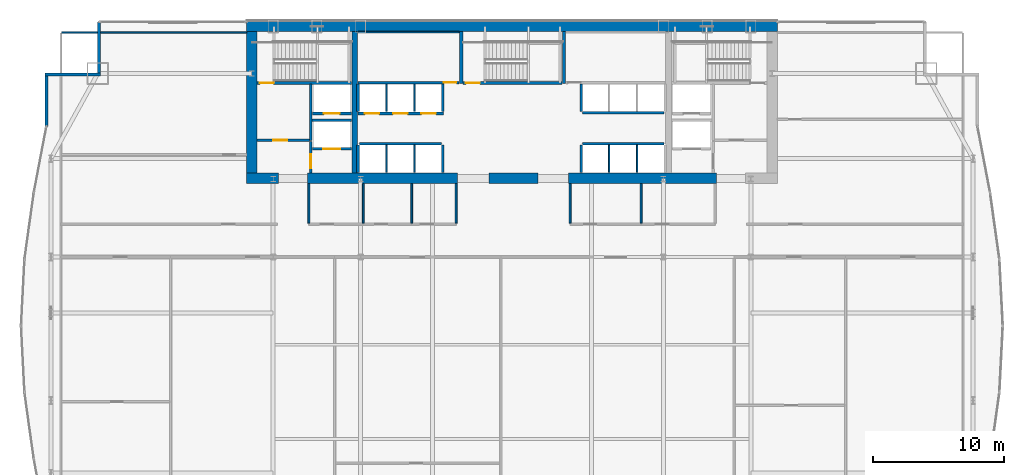
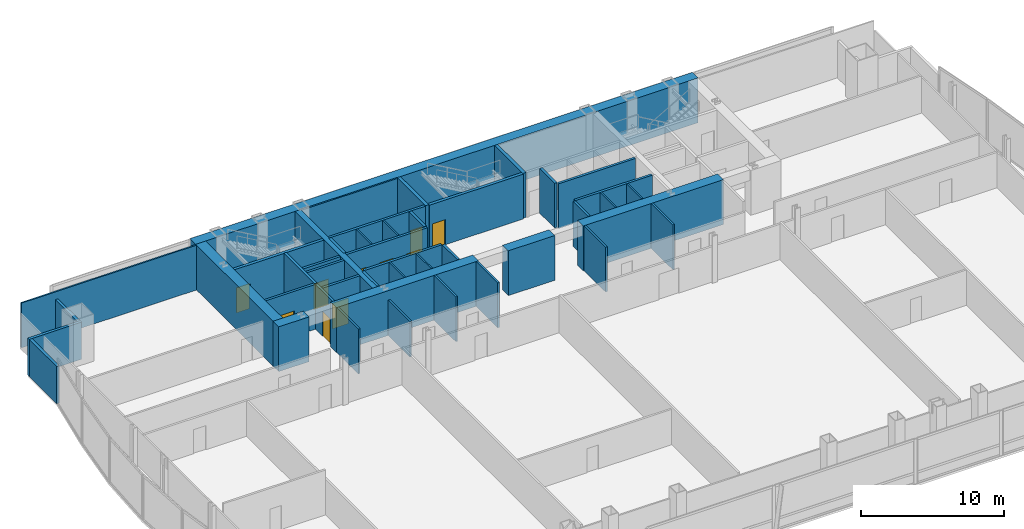
# One storey, part 32 of 37: 45 walls, 10 doors, 10 openings.
"""IFC4 building model written with IfcOpenShell, lengths in metres."""

from ifc_helpers import new_model, si_unit, direction, frame, frame_2d, origin, place, context, subcontext, project, spatial, rectangle, extrude, material, layer, layer_set, type_object, element, fill, save


model = new_model("IFC4")

# Units and contexts
model_context = context("Model", 3, precision=1e-05, world=origin(), true_north=direction((0.0, 1.0)))
body_context = subcontext(model_context, "Body", "Model", "MODEL_VIEW")
ifc_project = project(units=[si_unit("LENGTHUNIT", "METRE"), si_unit("AREAUNIT", "SQUARE_METRE"), si_unit("VOLUMEUNIT", "CUBIC_METRE"), si_unit("PLANEANGLEUNIT", "RADIAN"), si_unit("MASSUNIT", "GRAM", prefix="KILO")], contexts=[model_context])

# Site, building, storey
site_placement = place(None, origin())
site = spatial("IfcSite", under=ifc_project, at=site_placement, CompositionType="ELEMENT")
building_placement = place(site_placement, origin())
building = spatial("IfcBuilding", under=site, at=building_placement, Name="Khoronbel Lancet Exchange", CompositionType="ELEMENT")
storey_placement = place(building_placement, frame((0.0, 0.0, 45.800048828125)))
storey = spatial("IfcBuildingStorey", under=building, at=storey_placement, Name="L10", CompositionType="ELEMENT", Elevation=45.800048828125)

# Walls
ifc_material_1 = material(Name="Concrete C80/95", Category="concrete")
ifc_layer_1 = layer(ifc_material_1, 0.800048828125, Name="Concrete C80/95")
ifc_layer_set_1 = layer_set([ifc_layer_1], Name="Concrete C80/95")
wall_type_1 = type_object("IfcWallType", Name="WL-CW1", PredefinedType="SHEAR", material=ifc_layer_set_1)
wall_1_placement = place(storey_placement, frame((16.199951171875, 53.300048828125, 0.0), z_axis=(0.0, 0.0, 1.0), x_axis=(1.0, 0.0, 0.0)))
element("IfcWall", 1, at=wall_1_placement, inside=storey, type_object=wall_type_1, Name="Level L10 rear core north shear wall", PredefinedType="SHEAR", context=body_context, shape_type="SweptSolid", body=[
    extrude(rectangle(XDim=40.5, YDim=0.800048828125, at=frame_2d((20.25, 0.0))), origin(), (0.0, 0.0, 1.0), 3.820068359375),
])
wall_2_placement = place(storey_placement, frame((16.60009765625, 42.10009765625, 0.0), z_axis=(0.0, 0.0, 1.0), x_axis=(0.0, 1.0, 0.0)))
element("IfcWall", 2, at=wall_2_placement, inside=storey, type_object=wall_type_1, Name="Level L10 rear core west shear wall", PredefinedType="SHEAR", context=body_context, shape_type="SweptSolid", body=[
    extrude(rectangle(XDim=10.7998046875, YDim=0.800048828125, at=frame_2d((5.39990234375, 0.0))), origin(), (0.0, 0.0, 1.0), 3.820068359375),
])
wall_3_placement = place(storey_placement, frame((18.64990234375, 41.699951171875, 0.0), z_axis=(0.0, 0.0, 1.0), x_axis=(-1.0, 0.0, 0.0)))
element("IfcWall", 3, at=wall_3_placement, inside=storey, type_object=wall_type_1, Name="Level L10 rear core south shear wall pier P1", PredefinedType="SHEAR", context=body_context, shape_type="SweptSolid", body=[
    extrude(rectangle(XDim=2.449951171875, YDim=0.800048828125, at=frame_2d((1.22509765625, 0.0))), origin(), (0.0, 0.0, 1.0), 3.820068359375),
])
wall_4_placement = place(storey_placement, frame((32.300048828125, 41.699951171875, 0.0), z_axis=(0.0, 0.0, 1.0), x_axis=(-1.0, 0.0, 0.0)))
element("IfcWall", 4, at=wall_4_placement, inside=storey, type_object=wall_type_1, Name="Level L10 rear core south shear wall pier P2", PredefinedType="SHEAR", context=body_context, shape_type="SweptSolid", body=[
    extrude(rectangle(XDim=11.449951171875, YDim=0.800048828125, at=frame_2d((5.72509765625, 0.0))), origin(), (0.0, 0.0, 1.0), 3.820068359375),
])
wall_5_placement = place(storey_placement, frame((38.449951171875, 41.699951171875, 0.0), z_axis=(0.0, 0.0, 1.0), x_axis=(-1.0, 0.0, 0.0)))
element("IfcWall", 5, at=wall_5_placement, inside=storey, type_object=wall_type_1, Name="Level L10 rear core south shear wall pier P3", PredefinedType="SHEAR", context=body_context, shape_type="SweptSolid", body=[
    extrude(rectangle(XDim=3.75, YDim=0.800048828125, at=frame_2d((1.875, 0.0))), origin(), (0.0, 0.0, 1.0), 3.820068359375),
])
wall_6_placement = place(storey_placement, frame((52.050048828125, 41.699951171875, 0.0), z_axis=(0.0, 0.0, 1.0), x_axis=(-1.0, 0.0, 0.0)))
element("IfcWall", 6, at=wall_6_placement, inside=storey, type_object=wall_type_1, Name="Level L10 rear core south shear wall pier P4", PredefinedType="SHEAR", context=body_context, shape_type="SweptSolid", body=[
    extrude(rectangle(XDim=11.300048828125, YDim=0.800048828125, at=frame_2d((5.64990234375, 0.0))), origin(), (0.0, 0.0, 1.0), 3.820068359375),
])
ifc_material_2 = material(Name="Precast concrete C40/50", Category="concrete")
ifc_layer_2 = layer(ifc_material_2, 0.25, Name="Precast concrete C40/50")
ifc_layer_set_2 = layer_set([ifc_layer_2], Name="Precast concrete C40/50")
wall_type_2 = type_object("IfcWallType", Name="WL-EXT250", PredefinedType="SOLIDWALL", material=ifc_layer_set_2)
wall_7_placement = place(storey_placement, frame((0.93994140625, 45.67138671875, 0.0), z_axis=(0.0, 0.0, 1.0), x_axis=(0.0, 1.0, 0.0)))
element("IfcWall", 7, at=wall_7_placement, inside=storey, type_object=wall_type_2, Name="Level L10 notched-corner limestone pier 10", PredefinedType="SOLIDWALL", context=body_context, shape_type="SweptSolid", body=[
    extrude(rectangle(XDim=3.82861328125, YDim=0.219970703125, at=frame_2d((1.914306640625, 0.0))), origin(), (0.0, 0.0, 1.0), 3.159912109375),
])
wall_8_placement = place(storey_placement, frame((0.830078125, 49.610107421875, 0.0), z_axis=(0.0, 0.0, 1.0), x_axis=(1.0, 0.0, 0.0)))
element("IfcWall", 8, at=wall_8_placement, inside=storey, type_object=wall_type_2, Name="Level L10 notched-corner limestone pier 11", PredefinedType="SOLIDWALL", context=body_context, shape_type="SweptSolid", body=[
    extrude(rectangle(XDim=4.219970703125, YDim=0.219970703125, at=frame_2d((2.10986328125, 0.0))), origin(), (0.0, 0.0, 1.0), 3.159912109375),
])
wall_9_placement = place(storey_placement, frame((4.93994140625, 49.719970703125, 0.0), z_axis=(0.0, 0.0, 1.0), x_axis=(0.0, 1.0, 0.0)))
element("IfcWall", 9, at=wall_9_placement, inside=storey, type_object=wall_type_2, Name="Level L10 notched-corner limestone pier 12", PredefinedType="SOLIDWALL", context=body_context, shape_type="SweptSolid", body=[
    extrude(rectangle(XDim=3.909912109375, YDim=0.219970703125, at=frame_2d((1.955078125, 0.0))), origin(), (0.0, 0.0, 1.0), 3.159912109375),
])
ifc_material_3 = material(Name="Acoustic Metal-Stud & Mineral-Wool Gypsum Partition 120 mm", Category="gypsum")
ifc_layer_3 = layer(ifc_material_3, 0.1201171875, Name="Acoustic Metal-Stud & Mineral-Wool Gypsum Partition 120 mm")
ifc_layer_set_3 = layer_set([ifc_layer_3], Name="Acoustic Metal-Stud & Mineral-Wool Gypsum Partition 120 mm")
wall_type_3 = type_object("IfcWallType", Name="WL-PRT120", PredefinedType="PARTITIONING", material=ifc_layer_set_3)
wall_10_placement = place(storey_placement, frame((20.949951171875, 38.280029296875, 0.0), z_axis=(0.0, 0.0, 1.0), x_axis=(0.0, 1.0, 0.0)))
element("IfcWall", 10, at=wall_10_placement, inside=storey, type_object=wall_type_3, Name="Level L10 interior partition PW-WC-0", PredefinedType="PARTITIONING", context=body_context, shape_type="SweptSolid", body=[
    extrude(rectangle(XDim=3.02001953125, YDim=0.14990234375, at=frame_2d((1.510009765625, 0.0))), origin(), (0.0, 0.0, 1.0), 3.820068359375),
])
wall_11_placement = place(storey_placement, frame((25.10009765625, 38.280029296875, 0.0), z_axis=(0.0, 0.0, 1.0), x_axis=(0.0, 1.0, 0.0)))
element("IfcWall", 11, at=wall_11_placement, inside=storey, type_object=wall_type_3, Name="Level L10 interior partition PW-WC-1", PredefinedType="PARTITIONING", context=body_context, shape_type="SweptSolid", body=[
    extrude(rectangle(XDim=3.02001953125, YDim=0.14990234375, at=frame_2d((1.510009765625, 0.0))), origin(), (0.0, 0.0, 1.0), 3.010009765625),
])
for number, where, z_axis, x_axis, name in (
    (12, (28.800048828125, 38.280029296875, 0.0), (0.0, 0.0, 1.0), (0.0, 1.0, 0.0), "Level L10 interior partition PW-WC-2"),
    (13, (32.179931640625, 38.280029296875, 0.0), (0.0, 0.0, 1.0), (0.0, 1.0, 0.0), "Level L10 interior partition PW-WC-3"),
    (14, (40.8798828125, 38.280029296875, 0.0), (0.0, 0.0, 1.0), (0.0, 1.0, 0.0), "Level L10 interior partition PW-NP-0"),
    (15, (46.300048828125, 38.280029296875, 0.0), (0.0, 0.0, 1.0), (0.0, 1.0, 0.0), "Level L10 interior partition PW-NP-M"),
):
    element("IfcWall", number, at=place(storey_placement, frame(where, z_axis=z_axis, x_axis=x_axis)), inside=storey, type_object=wall_type_3, Name=name, PredefinedType="PARTITIONING", context=body_context, shape_type="SweptSolid", body=[
        extrude(rectangle(XDim=3.02001953125, YDim=0.14990234375, at=frame_2d((1.510009765625, 0.0))), origin(), (0.0, 0.0, 1.0), 3.820068359375),
    ])
wall_12_placement = place(storey_placement, frame((2.094970703125, 52.840087890625, 0.0), z_axis=(0.0, 0.0, 1.0), x_axis=(1.0, 0.0, 0.0)))
element("IfcWall", 16, at=wall_12_placement, inside=storey, type_object=wall_type_3, Name="Level L10 interior partition PW-LIN-NW", PredefinedType="PARTITIONING", context=body_context, shape_type="SweptSolid", body=[
    extrude(rectangle(XDim=14.10498046875, YDim=0.1201171875, at=frame_2d((7.052490234375, 0.0))), origin(), (0.0, 0.0, 1.0), 3.820068359375),
])
ifc_material_4 = material(Name="Fire-Rated Metal-Stud & Mineral-Wool Gypsum Partition 120 mm", Category="gypsum")
ifc_layer_4 = layer(ifc_material_4, 0.1201171875, Name="Fire-Rated Metal-Stud & Mineral-Wool Gypsum Partition 120 mm")
ifc_layer_set_4 = layer_set([ifc_layer_4], Name="Fire-Rated Metal-Stud & Mineral-Wool Gypsum Partition 120 mm")
wall_type_4 = type_object("IfcWallType", Name="WL-PRT120F", PredefinedType="PARTITIONING", material=ifc_layer_set_4)
for number, where, z_axis, x_axis, name in (
    (17, (26.860107421875, 46.800048828125, 0.0), (0.0, 0.0, 1.0), (0.0, 1.0, 0.0), "Level L10 interior partition CW-PL-D1"),
    (18, (29.02001953125, 46.800048828125, 0.0), (0.0, 0.0, 1.0), (0.0, 1.0, 0.0), "Level L10 interior partition CW-PL-D2"),
):
    element("IfcWall", number, at=place(storey_placement, frame(where, z_axis=z_axis, x_axis=x_axis)), inside=storey, type_object=wall_type_4, Name=name, PredefinedType="PARTITIONING", context=body_context, shape_type="SweptSolid", body=[
        extrude(rectangle(XDim=2.094970703125, YDim=0.1201171875, at=frame_2d((1.04736328125, 0.0))), origin(), (0.0, 0.0, 1.0), 3.820068359375),
    ])
for number, where, z_axis, x_axis, name in (
    (19, (26.860107421875, 42.14990234375, 0.0), (0.0, 0.0, 1.0), (0.0, 1.0, 0.0), "Level L10 interior partition CW-PM-D1"),
    (20, (29.02001953125, 42.14990234375, 0.0), (0.0, 0.0, 1.0), (0.0, 1.0, 0.0), "Level L10 interior partition CW-PM-D2"),
    (21, (43.860107421875, 42.14990234375, 0.0), (0.0, 0.0, 1.0), (0.0, 1.0, 0.0), "Level L10 interior partition CW-PX-D1"),
    (22, (46.0, 42.14990234375, 0.0), (0.0, 0.0, 1.0), (0.0, 1.0, 0.0), "Level L10 interior partition CW-PX-D2"),
):
    element("IfcWall", number, at=place(storey_placement, frame(where, z_axis=z_axis, x_axis=x_axis)), inside=storey, type_object=wall_type_4, Name=name, PredefinedType="PARTITIONING", context=body_context, shape_type="SweptSolid", body=[
        extrude(rectangle(XDim=2.09521484375, YDim=0.1201171875, at=frame_2d((1.047607421875, 0.0))), origin(), (0.0, 0.0, 1.0), 3.820068359375),
    ])
wall_13_placement = place(storey_placement, frame((24.699951171875, 52.860107421875, 0.0), z_axis=(0.0, 0.0, 1.0), x_axis=(1.0, 0.0, 0.0)))
element("IfcWall", 23, at=wall_13_placement, inside=storey, type_object=wall_type_4, Name="Level L10 interior partition CW-SUP-NW-N", PredefinedType="PARTITIONING", context=body_context, shape_type="SweptSolid", body=[
    extrude(rectangle(XDim=7.719970703125, YDim=0.1201171875, at=frame_2d((3.85986328125, 0.0))), origin(), (0.0, 0.0, 1.0), 3.820068359375),
])

# Wall, opening, door
ifc_material_5 = material(Name="Autoclaved Aerated Concrete Blockwork 200 mm", Category="masonry")
ifc_layer_5 = layer(ifc_material_5, 0.199951171875, Name="Autoclaved Aerated Concrete Blockwork 200 mm")
ifc_layer_set_5 = layer_set([ifc_layer_5], Name="Autoclaved Aerated Concrete Blockwork 200 mm")
wall_type_5 = type_object("IfcWallType", Name="WL-PRT200", PredefinedType="PARTITIONING", material=ifc_layer_set_5)
wall_14_placement = place(storey_placement, frame((24.2099609375, 43.949951171875, 0.0), z_axis=(0.0, 0.0, 1.0), x_axis=(-1.0, 0.0, 0.0)))
wall_14 = element("IfcWall", 24, at=wall_14_placement, inside=storey, type_object=wall_type_5, Name="Level L10 elevator hoistway landing front wall SVLW", PredefinedType="PARTITIONING", context=body_context, shape_type="SweptSolid", body=[
    extrude(rectangle(XDim=2.969970703125, YDim=0.199951171875, at=frame_2d((1.48486328125, 0.0))), origin(), (0.0, 0.0, 1.0), 3.820068359375),
])
opening_1_placement = place(wall_14_placement, frame((0.860107421875, 0.0, 0.0)))
opening_1 = element("IfcOpeningElement", 25, at=opening_1_placement, cuts=wall_14, Name="Opening LD-SVL1", PredefinedType="OPENING", context=body_context, shape_type="SweptSolid", body=[
    extrude(rectangle(XDim=1.300048828125, YDim=2.179931640625, at=frame_2d((0.64990234375, 1.08984375))), frame((0.0, 0.10986328125, 0.0), z_axis=(0.0, -1.0, 0.0), x_axis=(1.0, 0.0, 0.0)), (0.0, 0.0, 1.0), 0.219970703125),
])
ifc_material_6 = material(Name="Heavy-Duty Bi-Parting Goods Lift Landing Door", Category="steel")
door_type_1 = type_object("IfcDoorType", Name="DR-LD-SVL", OperationType="NOTDEFINED", PredefinedType="DOOR", material=ifc_material_6)
door_1_placement = place(opening_1_placement, origin())
door_1 = element("IfcDoor", 26, at=door_1_placement, inside=storey, type_object=door_type_1, Name="Elevator landing sliding door LD-SVL1 L10", OperationType="SLIDING_TO_LEFT", OverallHeight=2.179931640625, OverallWidth=1.300048828125, PredefinedType="DOOR", context=body_context, shape_type="SweptSolid", body=[
    extrude(rectangle(XDim=1.300048828125, YDim=2.179931640625, at=frame_2d((0.64990234375, 1.08984375))), frame((0.0, 0.02490234375, 0.0), z_axis=(0.0, -1.0, 0.0), x_axis=(1.0, 0.0, 0.0)), (0.0, 0.0, 1.0), 0.050048828125),
])
fill(opening_1, door_1)

wall_15_placement = place(storey_placement, frame((24.2099609375, 46.64990234375, 0.0), z_axis=(0.0, 0.0, 1.0), x_axis=(-1.0, 0.0, 0.0)))
wall_15 = element("IfcWall", 27, at=wall_15_placement, inside=storey, type_object=wall_type_5, Name="Level L10 elevator hoistway landing front wall FFLW", PredefinedType="PARTITIONING", context=body_context, shape_type="SweptSolid", body=[
    extrude(rectangle(XDim=2.969970703125, YDim=0.199951171875, at=frame_2d((1.48486328125, 0.0))), origin(), (0.0, 0.0, 1.0), 3.820068359375),
])
opening_2_placement = place(wall_15_placement, frame((0.909912109375, 0.0, 0.0)))
opening_2 = element("IfcOpeningElement", 28, at=opening_2_placement, cuts=wall_15, Name="Opening LD-FFL1", PredefinedType="OPENING", context=body_context, shape_type="SweptSolid", body=[
    extrude(rectangle(XDim=1.199951171875, YDim=2.179931640625, at=frame_2d((0.60009765625, 1.08984375))), frame((0.0, 0.10986328125, 0.0), z_axis=(0.0, -1.0, 0.0), x_axis=(1.0, 0.0, 0.0)), (0.0, 0.0, 1.0), 0.219970703125),
])
ifc_material_7 = material(Name="Fire-Rated Stainless Bi-Parting Firefighting Lift Door", Category="steel")
door_type_2 = type_object("IfcDoorType", Name="DR-LD-FFL", OperationType="NOTDEFINED", PredefinedType="DOOR", material=ifc_material_7)
door_2_placement = place(opening_2_placement, origin())
door_2 = element("IfcDoor", 29, at=door_2_placement, inside=storey, type_object=door_type_2, Name="Elevator landing sliding door LD-FFL1 L10", OperationType="SLIDING_TO_LEFT", OverallHeight=2.179931640625, OverallWidth=1.199951171875, PredefinedType="DOOR", context=body_context, shape_type="SweptSolid", body=[
    extrude(rectangle(XDim=1.199951171875, YDim=2.179931640625, at=frame_2d((0.60009765625, 1.08984375))), frame((0.0, 0.02490234375, 0.0), z_axis=(0.0, -1.0, 0.0), x_axis=(1.0, 0.0, 0.0)), (0.0, 0.0, 1.0), 0.050048828125),
])
fill(opening_2, door_2)

# Wall, openings, doors
wall_16_placement = place(storey_placement, frame((31.219970703125, 46.64990234375, 0.0), z_axis=(0.0, 0.0, 1.0), x_axis=(-1.0, 0.0, 0.0)))
wall_16 = element("IfcWall", 30, at=wall_16_placement, inside=storey, type_object=wall_type_5, Name="Level L10 elevator hoistway landing front wall PLW", PredefinedType="PARTITIONING", context=body_context, shape_type="SweptSolid", body=[
    extrude(rectangle(XDim=6.530029296875, YDim=0.199951171875, at=frame_2d((3.26513671875, 0.0))), origin(), (0.0, 0.0, 1.0), 3.820068359375),
])
opening_3_placement = place(wall_16_placement, frame((4.89990234375, 0.0, 0.0)))
opening_3 = element("IfcOpeningElement", 31, at=opening_3_placement, cuts=wall_16, Name="Opening LD-PL1", PredefinedType="OPENING", context=body_context, shape_type="SweptSolid", body=[
    extrude(rectangle(XDim=1.10009765625, YDim=2.179931640625, at=frame_2d((0.550048828125, 1.08984375))), frame((0.0, 0.10986328125, 0.0), z_axis=(0.0, -1.0, 0.0), x_axis=(1.0, 0.0, 0.0)), (0.0, 0.0, 1.0), 0.219970703125),
])
opening_4_placement = place(wall_16_placement, frame((2.739990234375, 0.0, 0.0)))
opening_4 = element("IfcOpeningElement", 32, at=opening_4_placement, cuts=wall_16, Name="Opening LD-PL2", PredefinedType="OPENING", context=body_context, shape_type="SweptSolid", body=[
    extrude(rectangle(XDim=1.10009765625, YDim=2.179931640625, at=frame_2d((0.550048828125, 1.08984375))), frame((0.0, 0.10986328125, 0.0), z_axis=(0.0, -1.0, 0.0), x_axis=(1.0, 0.0, 0.0)), (0.0, 0.0, 1.0), 0.219970703125),
])
opening_5_placement = place(wall_16_placement, frame((0.580078125, 0.0, 0.0)))
opening_5 = element("IfcOpeningElement", 33, at=opening_5_placement, cuts=wall_16, Name="Opening LD-PL3", PredefinedType="OPENING", context=body_context, shape_type="SweptSolid", body=[
    extrude(rectangle(XDim=1.10009765625, YDim=2.179931640625, at=frame_2d((0.550048828125, 1.08984375))), frame((0.0, 0.10986328125, 0.0), z_axis=(0.0, -1.0, 0.0), x_axis=(1.0, 0.0, 0.0)), (0.0, 0.0, 1.0), 0.219970703125),
])
ifc_material_8 = material(Name="Brushed Bronze Bi-Parting Elevator Landing Door", Category="steel")
door_type_3 = type_object("IfcDoorType", Name="DR-LD-PAX", OperationType="NOTDEFINED", PredefinedType="DOOR", material=ifc_material_8)
door_3_placement = place(opening_3_placement, origin())
door_3 = element("IfcDoor", 34, at=door_3_placement, inside=storey, type_object=door_type_3, Name="Elevator landing sliding door LD-PL1 L10", OperationType="SLIDING_TO_LEFT", OverallHeight=2.179931640625, OverallWidth=1.10009765625, PredefinedType="DOOR", context=body_context, shape_type="SweptSolid", body=[
    extrude(rectangle(XDim=1.10009765625, YDim=2.179931640625, at=frame_2d((0.550048828125, 1.08984375))), frame((0.0, 0.02490234375, 0.0), z_axis=(0.0, -1.0, 0.0), x_axis=(1.0, 0.0, 0.0)), (0.0, 0.0, 1.0), 0.050048828125),
])
fill(opening_3, door_3)
door_4_placement = place(opening_4_placement, origin())
door_4 = element("IfcDoor", 35, at=door_4_placement, inside=storey, type_object=door_type_3, Name="Elevator landing sliding door LD-PL2 L10", OperationType="SLIDING_TO_LEFT", OverallHeight=2.179931640625, OverallWidth=1.10009765625, PredefinedType="DOOR", context=body_context, shape_type="SweptSolid", body=[
    extrude(rectangle(XDim=1.10009765625, YDim=2.179931640625, at=frame_2d((0.550048828125, 1.08984375))), frame((0.0, 0.02490234375, 0.0), z_axis=(0.0, -1.0, 0.0), x_axis=(1.0, 0.0, 0.0)), (0.0, 0.0, 1.0), 0.050048828125),
])
fill(opening_4, door_4)
door_5_placement = place(opening_5_placement, origin())
door_5 = element("IfcDoor", 36, at=door_5_placement, inside=storey, type_object=door_type_3, Name="Elevator landing sliding door LD-PL3 L10", OperationType="SLIDING_TO_LEFT", OverallHeight=2.179931640625, OverallWidth=1.10009765625, PredefinedType="DOOR", context=body_context, shape_type="SweptSolid", body=[
    extrude(rectangle(XDim=1.10009765625, YDim=2.179931640625, at=frame_2d((0.550048828125, 1.08984375))), frame((0.0, 0.02490234375, 0.0), z_axis=(0.0, -1.0, 0.0), x_axis=(1.0, 0.0, 0.0)), (0.0, 0.0, 1.0), 0.050048828125),
])
fill(opening_5, door_5)

# Wall
wall_17_placement = place(storey_placement, frame((21.10009765625, 44.60009765625, 0.0), z_axis=(0.0, 0.0, 1.0), x_axis=(0.0, 1.0, 0.0)))
element("IfcWall", 37, at=wall_17_placement, inside=storey, type_object=wall_type_5, Name="Level L10 interior partition CW-FFLW-E", PredefinedType="PARTITIONING", context=body_context, shape_type="SweptSolid", body=[
    extrude(rectangle(XDim=4.2998046875, YDim=0.199951171875, at=frame_2d((2.14990234375, 0.0))), origin(), (0.0, 0.0, 1.0), 3.820068359375),
])

# Wall, opening, door
wall_18_placement = place(storey_placement, frame((17.0, 44.60009765625, 0.0), z_axis=(0.0, 0.0, 1.0), x_axis=(1.0, 0.0, 0.0)))
wall_18 = element("IfcWall", 38, at=wall_18_placement, inside=storey, type_object=wall_type_5, Name="Level L10 interior partition CW-FFLW-S", PredefinedType="PARTITIONING", context=body_context, shape_type="SweptSolid", body=[
    extrude(rectangle(XDim=4.0, YDim=0.199951171875, at=frame_2d((2.0, 0.0))), origin(), (0.0, 0.0, 1.0), 3.820068359375),
])
opening_6_placement = place(wall_18_placement, frame((1.25, 0.0, 0.0)))
opening_6 = element("IfcOpeningElement", 39, at=opening_6_placement, cuts=wall_18, Name="Opening FD1", PredefinedType="OPENING", context=body_context, shape_type="SweptSolid", body=[
    extrude(rectangle(XDim=1.050048828125, YDim=2.14990234375, at=frame_2d((0.52490234375, 1.074951171875))), frame((0.0, 0.10986328125, 0.0), z_axis=(0.0, -1.0, 0.0), x_axis=(1.0, 0.0, 0.0)), (0.0, 0.0, 1.0), 0.219970703125),
])
ifc_material_9 = material(Name="Fire-Rated Painted Steel Door Assembly", Category="steel")
door_type_4 = type_object("IfcDoorType", Name="DR-FD1", OperationType="NOTDEFINED", PredefinedType="DOOR", material=ifc_material_9)
door_6_placement = place(opening_6_placement, origin())
door_6 = element("IfcDoor", 40, at=door_6_placement, inside=storey, type_object=door_type_4, Name="West firefighting lobby FD90S door L10-1", OperationType="SINGLE_SWING_RIGHT", OverallHeight=2.14990234375, OverallWidth=1.050048828125, PredefinedType="DOOR", context=body_context, shape_type="SweptSolid", body=[
    extrude(rectangle(XDim=1.050048828125, YDim=2.14990234375, at=frame_2d((0.52490234375, 1.074951171875))), frame((0.0, 0.02490234375, 0.0), z_axis=(0.0, -1.0, 0.0), x_axis=(1.0, 0.0, 0.0)), (0.0, 0.0, 1.0), 0.050048828125),
])
fill(opening_6, door_6)

# Wall
wall_19_placement = place(storey_placement, frame((21.199951171875, 46.1201171875, 0.0), z_axis=(0.0, 0.0, 1.0), x_axis=(1.0, 0.0, 0.0)))
element("IfcWall", 41, at=wall_19_placement, inside=storey, type_object=wall_type_5, Name="Level L10 interior partition CW-FFL1-S", PredefinedType="PARTITIONING", context=body_context, shape_type="SweptSolid", body=[
    extrude(rectangle(XDim=3.02001953125, YDim=0.199951171875, at=frame_2d((1.510009765625, 0.0))), origin(), (0.0, 0.0, 1.0), 3.820068359375),
])

# Wall, opening, door
wall_20_placement = place(storey_placement, frame((21.10009765625, 42.10009765625, 0.0), z_axis=(0.0, 0.0, 1.0), x_axis=(0.0, 1.0, 0.0)))
wall_20 = element("IfcWall", 42, at=wall_20_placement, inside=storey, type_object=wall_type_5, Name="Level L10 interior partition CW-SVLW-W", PredefinedType="PARTITIONING", context=body_context, shape_type="SweptSolid", body=[
    extrude(rectangle(XDim=2.39501953125, YDim=0.199951171875, at=frame_2d((1.197509765625, 0.0))), origin(), (0.0, 0.0, 1.0), 3.820068359375),
])
opening_7_placement = place(wall_20_placement, frame((0.3798828125, 0.0, 0.0)))
opening_7 = element("IfcOpeningElement", 43, at=opening_7_placement, cuts=wall_20, Name="Opening FD1", PredefinedType="OPENING", context=body_context, shape_type="SweptSolid", body=[
    extrude(rectangle(XDim=1.050048828125, YDim=2.14990234375, at=frame_2d((0.52490234375, 1.074951171875))), frame((0.0, 0.10986328125, 0.0), z_axis=(0.0, -1.0, 0.0), x_axis=(1.0, 0.0, 0.0)), (0.0, 0.0, 1.0), 0.219970703125),
])
door_7_placement = place(opening_7_placement, origin())
door_7 = element("IfcDoor", 44, at=door_7_placement, inside=storey, type_object=door_type_4, Name="West service lift lobby door L10-1", OperationType="SINGLE_SWING_LEFT", OverallHeight=2.14990234375, OverallWidth=1.050048828125, PredefinedType="DOOR", context=body_context, shape_type="SweptSolid", body=[
    extrude(rectangle(XDim=1.050048828125, YDim=2.14990234375, at=frame_2d((0.52490234375, 1.074951171875))), frame((0.0, 0.02490234375, 0.0), z_axis=(0.0, -1.0, 0.0), x_axis=(1.0, 0.0, 0.0)), (0.0, 0.0, 1.0), 0.050048828125),
])
fill(opening_7, door_7)

# Walls
for number, where, z_axis, x_axis, name in (
    (45, (24.699951171875, 46.800048828125, 0.0), (0.0, 0.0, 1.0), (0.0, 1.0, 0.0), "Level L10 interior partition CW-PL-W"),
    (46, (31.179931640625, 46.800048828125, 0.0), (0.0, 0.0, 1.0), (0.0, 1.0, 0.0), "Level L10 interior partition CW-PL-E"),
):
    element("IfcWall", number, at=place(storey_placement, frame(where, z_axis=z_axis, x_axis=x_axis)), inside=storey, type_object=wall_type_5, Name=name, PredefinedType="PARTITIONING", context=body_context, shape_type="SweptSolid", body=[
        extrude(rectangle(XDim=2.094970703125, YDim=0.199951171875, at=frame_2d((1.04736328125, 0.0))), origin(), (0.0, 0.0, 1.0), 3.820068359375),
    ])
wall_21_placement = place(storey_placement, frame((24.804931640625, 44.35009765625, 0.0), z_axis=(0.0, 0.0, 1.0), x_axis=(1.0, 0.0, 0.0)))
element("IfcWall", 47, at=wall_21_placement, inside=storey, type_object=wall_type_5, Name="Level L10 interior partition CW-PM-EXP", PredefinedType="PARTITIONING", context=body_context, shape_type="SweptSolid", body=[
    extrude(rectangle(XDim=6.27001953125, YDim=0.199951171875, at=frame_2d((3.135009765625, 0.0))), origin(), (0.0, 0.0, 1.0), 3.820068359375),
])
for number, where, z_axis, x_axis, name in (
    (48, (24.699951171875, 42.14990234375, 0.0), (0.0, 0.0, 1.0), (0.0, 1.0, 0.0), "Level L10 interior partition CW-PM-W"),
    (49, (31.179931640625, 42.14990234375, 0.0), (0.0, 0.0, 1.0), (0.0, 1.0, 0.0), "Level L10 interior partition CW-PM-E"),
):
    element("IfcWall", number, at=place(storey_placement, frame(where, z_axis=z_axis, x_axis=x_axis)), inside=storey, type_object=wall_type_5, Name=name, PredefinedType="PARTITIONING", context=body_context, shape_type="SweptSolid", body=[
        extrude(rectangle(XDim=2.09521484375, YDim=0.199951171875, at=frame_2d((1.047607421875, 0.0))), origin(), (0.0, 0.0, 1.0), 3.820068359375),
    ])
wall_22_placement = place(storey_placement, frame((41.824951171875, 46.699951171875, 0.0), z_axis=(0.0, 0.0, 1.0), x_axis=(1.0, 0.0, 0.0)))
element("IfcWall", 50, at=wall_22_placement, inside=storey, type_object=wall_type_5, Name="Level L10 interior partition CW-PH-EXP", PredefinedType="PARTITIONING", context=body_context, shape_type="SweptSolid", body=[
    extrude(rectangle(XDim=6.2099609375, YDim=0.199951171875, at=frame_2d((3.10498046875, 0.0))), origin(), (0.0, 0.0, 1.0), 3.820068359375),
])
wall_23_placement = place(storey_placement, frame((41.719970703125, 46.804931640625, 0.0), z_axis=(0.0, 0.0, 1.0), x_axis=(0.0, 1.0, 0.0)))
element("IfcWall", 51, at=wall_23_placement, inside=storey, type_object=wall_type_5, Name="Level L10 interior partition CW-PH-W", PredefinedType="PARTITIONING", context=body_context, shape_type="SweptSolid", body=[
    extrude(rectangle(XDim=2.090087890625, YDim=0.199951171875, at=frame_2d((1.044921875, 0.0))), origin(), (0.0, 0.0, 1.0), 3.820068359375),
])
wall_24_placement = place(storey_placement, frame((41.824951171875, 44.35009765625, 0.0), z_axis=(0.0, 0.0, 1.0), x_axis=(1.0, 0.0, 0.0)))
element("IfcWall", 52, at=wall_24_placement, inside=storey, type_object=wall_type_5, Name="Level L10 interior partition CW-PX-EXP", PredefinedType="PARTITIONING", context=body_context, shape_type="SweptSolid", body=[
    extrude(rectangle(XDim=6.2099609375, YDim=0.199951171875, at=frame_2d((3.10498046875, 0.0))), origin(), (0.0, 0.0, 1.0), 3.820068359375),
])
wall_25_placement = place(storey_placement, frame((41.719970703125, 42.14990234375, 0.0), z_axis=(0.0, 0.0, 1.0), x_axis=(0.0, 1.0, 0.0)))
element("IfcWall", 53, at=wall_25_placement, inside=storey, type_object=wall_type_5, Name="Level L10 interior partition CW-PX-W", PredefinedType="PARTITIONING", context=body_context, shape_type="SweptSolid", body=[
    extrude(rectangle(XDim=2.09521484375, YDim=0.199951171875, at=frame_2d((1.047607421875, 0.0))), origin(), (0.0, 0.0, 1.0), 3.820068359375),
])

# Wall, opening, door
wall_26_placement = place(storey_placement, frame((24.699951171875, 49.0, 0.0), z_axis=(0.0, 0.0, 1.0), x_axis=(1.0, 0.0, 0.0)))
wall_26 = element("IfcWall", 54, at=wall_26_placement, inside=storey, type_object=wall_type_5, Name="Level L10 interior partition CW-SUP-NW-S", PredefinedType="PARTITIONING", context=body_context, shape_type="SweptSolid", body=[
    extrude(rectangle(XDim=7.719970703125, YDim=0.199951171875, at=frame_2d((3.85986328125, 0.0))), origin(), (0.0, 0.0, 1.0), 3.820068359375),
])
opening_8_placement = place(wall_26_placement, frame((6.56005859375, 0.0, 0.0)))
opening_8 = element("IfcOpeningElement", 55, at=opening_8_placement, cuts=wall_26, Name="Opening FD3", PredefinedType="OPENING", context=body_context, shape_type="SweptSolid", body=[
    extrude(rectangle(XDim=0.949951171875, YDim=2.10009765625, at=frame_2d((0.47509765625, 1.050048828125))), frame((0.0, 0.10986328125, 0.0), z_axis=(0.0, -1.0, 0.0), x_axis=(1.0, 0.0, 0.0)), (0.0, 0.0, 1.0), 0.219970703125),
])
ifc_material_10 = material(Name="Fire-Rated Steel Plant & Riser Door Assembly", Category="steel")
door_type_5 = type_object("IfcDoorType", Name="DR-FD3", OperationType="NOTDEFINED", PredefinedType="DOOR", material=ifc_material_10)
door_8_placement = place(opening_8_placement, origin())
door_8 = element("IfcDoor", 56, at=door_8_placement, inside=storey, type_object=door_type_5, Name="Core NW support room door L10-1", OperationType="SINGLE_SWING_RIGHT", OverallHeight=2.10009765625, OverallWidth=0.949951171875, PredefinedType="DOOR", context=body_context, shape_type="SweptSolid", body=[
    extrude(rectangle(XDim=0.949951171875, YDim=2.10009765625, at=frame_2d((0.47509765625, 1.050048828125))), frame((0.0, 0.02490234375, 0.0), z_axis=(0.0, -1.0, 0.0), x_axis=(1.0, 0.0, 0.0)), (0.0, 0.0, 1.0), 0.050048828125),
])
fill(opening_8, door_8)

# Walls
ifc_layer_6 = layer(ifc_material_1, 0.449951171875, Name="Concrete C80/95")
ifc_layer_set_6 = layer_set([ifc_layer_6], Name="Concrete C80/95")
wall_type_6 = type_object("IfcWallType", Name="WL-SW1", PredefinedType="SHEAR", material=ifc_layer_set_6)
wall_27_placement = place(storey_placement, frame((24.449951171875, 42.10009765625, 0.0), z_axis=(0.0, 0.0, 1.0), x_axis=(0.0, 1.0, 0.0)))
element("IfcWall", 57, at=wall_27_placement, inside=storey, type_object=wall_type_6, Name="Level L10 rear core internal spine shear wall IW", PredefinedType="SHEAR", context=body_context, shape_type="SweptSolid", body=[
    extrude(rectangle(XDim=10.7998046875, YDim=0.449951171875, at=frame_2d((5.39990234375, 0.0))), origin(), (0.0, 0.0, 1.0), 3.820068359375),
])
ifc_material_11 = material(Name="Concrete C60/75", Category="concrete")
ifc_layer_7 = layer(ifc_material_11, 0.260009765625, Name="Concrete C60/75")
ifc_layer_set_7 = layer_set([ifc_layer_7], Name="Concrete C60/75")
wall_type_7 = type_object("IfcWallType", Name="WL-SW3", PredefinedType="SHEAR", material=ifc_layer_set_7)
for number, where, z_axis, x_axis, name in (
    (58, (32.580078125, 48.949951171875, 0.0), (0.0, 0.0, 1.0), (0.0, 1.0, 0.0), "Level L10 central stairwell structural shear wall ST3W"),
    (59, (40.419921875, 48.949951171875, 0.0), (0.0, 0.0, 1.0), (0.0, 1.0, 0.0), "Level L10 central stairwell structural shear wall ST3E"),
):
    element("IfcWall", number, at=place(storey_placement, frame(where, z_axis=z_axis, x_axis=x_axis)), inside=storey, type_object=wall_type_7, Name=name, PredefinedType="SHEAR", context=body_context, shape_type="SweptSolid", body=[
        extrude(rectangle(XDim=3.949951171875, YDim=0.260009765625, at=frame_2d((1.97509765625, 0.0))), origin(), (0.0, 0.0, 1.0), 3.820068359375),
    ])

# Wall, opening, door
wall_28_placement = place(storey_placement, frame((17.0, 48.97998046875, 0.0), z_axis=(0.0, 0.0, 1.0), x_axis=(1.0, 0.0, 0.0)))
wall_28 = element("IfcWall", 60, at=wall_28_placement, inside=storey, type_object=wall_type_7, Name="Level L10 west stairwell structural south wall", PredefinedType="SHEAR", context=body_context, shape_type="SweptSolid", body=[
    extrude(rectangle(XDim=7.219970703125, YDim=0.239990234375, at=frame_2d((3.60986328125, 0.0))), origin(), (0.0, 0.0, 1.0), 3.820068359375),
])
opening_9_placement = place(wall_28_placement, frame((0.219970703125, 0.0, 0.0)))
opening_9 = element("IfcOpeningElement", 61, at=opening_9_placement, cuts=wall_28, Name="Opening SD1", PredefinedType="OPENING", context=body_context, shape_type="SweptSolid", body=[
    extrude(rectangle(XDim=1.050048828125, YDim=2.14990234375, at=frame_2d((0.52490234375, 1.074951171875))), frame((0.0, 0.1298828125, 0.0), z_axis=(0.0, -1.0, 0.0), x_axis=(1.0, 0.0, 0.0)), (0.0, 0.0, 1.0), 0.260009765625),
])
ifc_material_12 = material(Name="Fire-Rated Steel Stairwell Door Assembly", Category="steel")
door_type_6 = type_object("IfcDoorType", Name="DR-SD1", OperationType="NOTDEFINED", PredefinedType="DOOR", material=ifc_material_12)
door_9_placement = place(opening_9_placement, origin())
door_9 = element("IfcDoor", 62, at=door_9_placement, inside=storey, type_object=door_type_6, Name="Protected exit stair ST1 door L10", OperationType="SINGLE_SWING_LEFT", OverallHeight=2.14990234375, OverallWidth=1.050048828125, PredefinedType="DOOR", context=body_context, shape_type="SweptSolid", body=[
    extrude(rectangle(XDim=1.050048828125, YDim=2.14990234375, at=frame_2d((0.52490234375, 1.074951171875))), frame((0.0, 0.02490234375, 0.0), z_axis=(0.0, -1.0, 0.0), x_axis=(1.0, 0.0, 0.0)), (0.0, 0.0, 1.0), 0.050048828125),
])
fill(opening_9, door_9)

wall_29_placement = place(storey_placement, frame((32.719970703125, 48.97998046875, 0.0), z_axis=(0.0, 0.0, 1.0), x_axis=(1.0, 0.0, 0.0)))
wall_29 = element("IfcWall", 63, at=wall_29_placement, inside=storey, type_object=wall_type_7, Name="Level L10 central stairwell structural south wall", PredefinedType="SHEAR", context=body_context, shape_type="SweptSolid", body=[
    extrude(rectangle(XDim=7.56005859375, YDim=0.239990234375, at=frame_2d((3.780029296875, 0.0))), origin(), (0.0, 0.0, 1.0), 3.820068359375),
])
opening_10_placement = place(wall_29_placement, frame((0.219970703125, 0.0, 0.0)))
opening_10 = element("IfcOpeningElement", 64, at=opening_10_placement, cuts=wall_29, Name="Opening SD1", PredefinedType="OPENING", context=body_context, shape_type="SweptSolid", body=[
    extrude(rectangle(XDim=1.050048828125, YDim=2.14990234375, at=frame_2d((0.52490234375, 1.074951171875))), frame((0.0, 0.1298828125, 0.0), z_axis=(0.0, -1.0, 0.0), x_axis=(1.0, 0.0, 0.0)), (0.0, 0.0, 1.0), 0.260009765625),
])
door_10_placement = place(opening_10_placement, origin())
door_10 = element("IfcDoor", 65, at=door_10_placement, inside=storey, type_object=door_type_6, Name="Protected exit stair ST3 door L10", OperationType="SINGLE_SWING_LEFT", OverallHeight=2.14990234375, OverallWidth=1.050048828125, PredefinedType="DOOR", context=body_context, shape_type="SweptSolid", body=[
    extrude(rectangle(XDim=1.050048828125, YDim=2.14990234375, at=frame_2d((0.52490234375, 1.074951171875))), frame((0.0, 0.02490234375, 0.0), z_axis=(0.0, -1.0, 0.0), x_axis=(1.0, 0.0, 0.0)), (0.0, 0.0, 1.0), 0.050048828125),
])
fill(opening_10, door_10)

save(model, "model.ifc")
